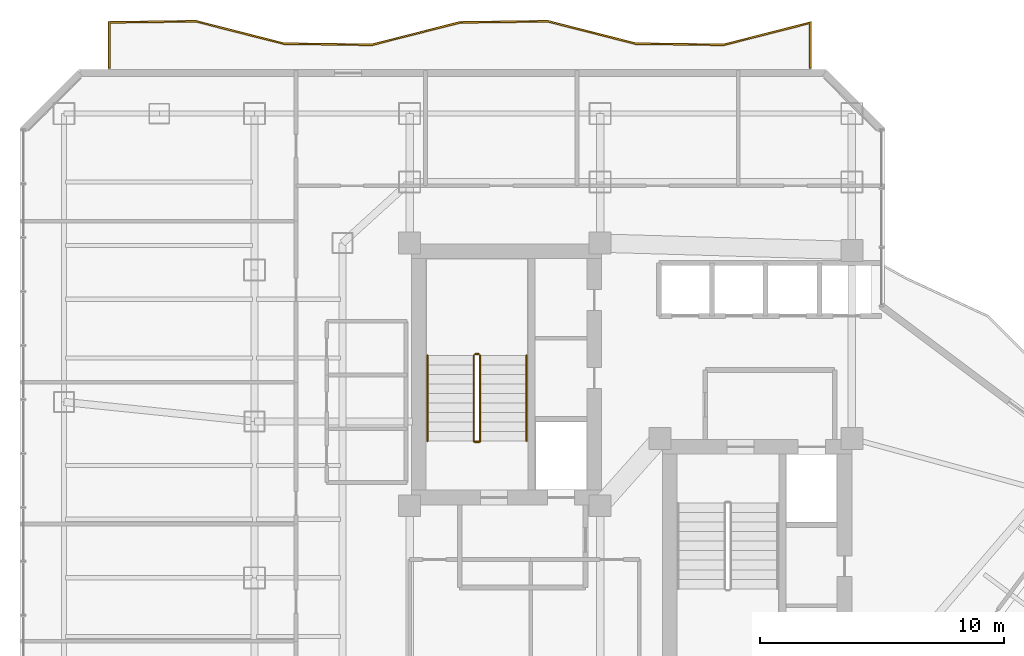
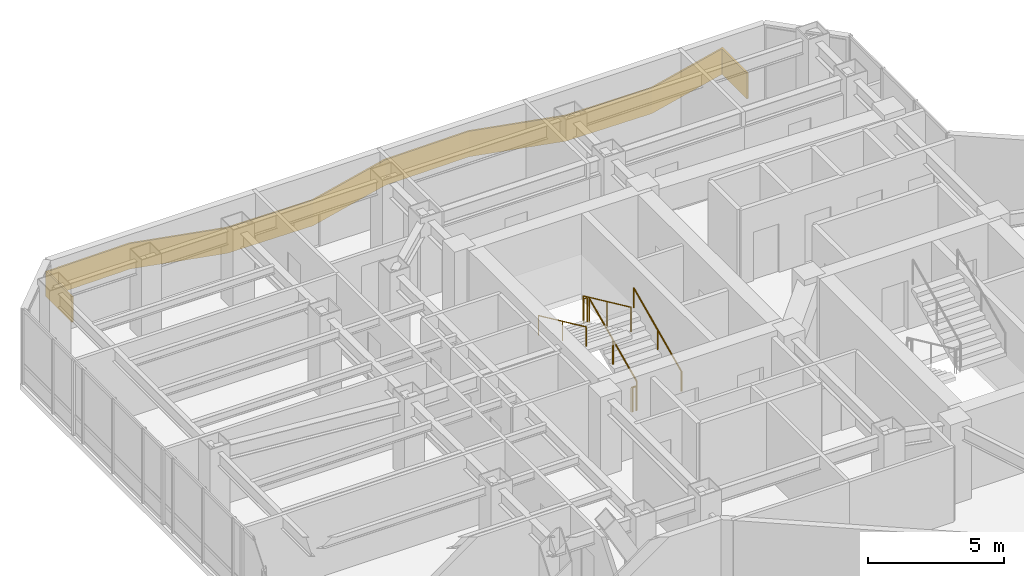
# One storey, part 30 of 31: 8 railings.
"""IFC4 building model written with IfcOpenShell, lengths in metres."""

from ifc_helpers import new_model, si_unit, direction, frame, origin, origin_2d, place, context, subcontext, project, spatial, polyline, circle, outline, extrude, material, layer, layer_set, type_object, element, save


model = new_model("IFC4")

# Units and contexts
model_context = context("Model", 3, precision=1e-05, world=origin(), true_north=direction((0.0, 1.0)))
body_context = subcontext(model_context, "Body", "Model", "MODEL_VIEW")
ifc_project = project(units=[si_unit("LENGTHUNIT", "METRE"), si_unit("AREAUNIT", "SQUARE_METRE"), si_unit("VOLUMEUNIT", "CUBIC_METRE"), si_unit("PLANEANGLEUNIT", "RADIAN"), si_unit("MASSUNIT", "GRAM", prefix="KILO")], contexts=[model_context])

# Site, building, storey
site_placement = place(None, origin())
site = spatial("IfcSite", under=ifc_project, at=site_placement, CompositionType="ELEMENT")
building_placement = place(site_placement, origin())
building = spatial("IfcBuilding", under=site, at=building_placement, Name="Hatsunagi Terrace Concourse", CompositionType="ELEMENT")
storey_placement = place(building_placement, frame((0.0, 0.0, 122.85009765625)))
storey = spatial("IfcBuildingStorey", under=building, at=storey_placement, Name="L32", CompositionType="ELEMENT", Elevation=122.85009765625)

# Railings
ifc_material_1 = material(Name="Laminated Glass and Stainless Steel Guard", Category="steel")
ifc_layer_1 = layer(ifc_material_1, 0.070068359375)
ifc_layer_set_1 = layer_set([ifc_layer_1], Name="BalconyGlassGuardRail_1150")
railing_type_1 = type_object("IfcRailingType", Name="BalconyGlassGuardRail_1150", PredefinedType="BALUSTRADE", material=ifc_layer_set_1)
railing_1_placement = place(storey_placement, origin())
element("IfcRailing", 1, at=railing_1_placement, inside=storey, type_object=railing_type_1, Name="Engawa Balcony Guard GRD-01 L32-BN-1", PredefinedType="BALUSTRADE", context=body_context, shape_type="SweptSolid", body=[
    extrude(outline(polyline([(13.215087890625, 50.449951171875), (13.284912109375, 50.449951171875), (13.284912109375, 52.301513671875), (16.789794921875, 52.347900390625), (20.388427734375, 51.43017578125), (24.01025390625, 51.3818359375), (27.611572265625, 52.300048828125), (31.189697265625, 52.347900390625), (34.788330078125, 51.43017578125), (38.41015625, 51.3818359375), (41.9150390625, 52.27587890625), (41.9150390625, 50.449951171875), (41.985107421875, 50.449951171875), (41.985107421875, 52.365966796875), (38.40185546875, 51.4521484375), (34.797607421875, 51.5), (31.1982421875, 52.418212890625), (27.602294921875, 52.369873046875), (24.001708984375, 51.4521484375), (20.397705078125, 51.5), (16.798095703125, 52.418212890625), (13.215087890625, 52.37060546875), (13.215087890625, 50.449951171875)])), origin(), (0.0, 0.0, 1.0), 1.14990234375),
])
ifc_material_2 = material(Name="Stainless steel", Category="steel")
ifc_layer_2 = layer(ifc_material_2, 0.044921875)
ifc_layer_set_2 = layer_set([ifc_layer_2], Name="StairPitchHandrail_Tower2000")
railing_type_2 = type_object("IfcRailingType", Name="StairPitchHandrail_Tower2000", PredefinedType="HANDRAIL", material=ifc_layer_set_2)
railing_2_placement = place(storey_placement, frame((30.330078125, 35.199951171875, 0.179931640625)))
element("IfcRailing", 2, at=railing_2_placement, inside=storey, type_object=railing_type_2, Name="L32 ST-A stair handrail 1", PredefinedType="HANDRAIL", context=body_context, shape_type="SweptSolid", body=[
    extrude(circle(Radius=0.02392578125, at=origin_2d()), frame((0.0, 0.0, 0.8759765625), z_axis=(0.0, 0.907972323039, 0.419030142823), x_axis=(-1.0, 0.0, 0.0)), (0.0, 0.0, 1.0), 3.86572265625),
    extrude(circle(Radius=0.02099609375, at=origin_2d()), origin(), (0.0, 0.0, 1.0), 0.851806640625),
    extrude(circle(Radius=0.02099609375, at=origin_2d()), frame((0.0, 1.7548828125, 0.81005859375)), (0.0, 0.0, 1.0), 0.851806640625),
    extrude(circle(Radius=0.02099609375, at=origin_2d()), frame((0.0, 3.510009765625, 1.619873046875)), (0.0, 0.0, 1.0), 0.851806640625),
])
railing_3_placement = place(storey_placement, frame((26.280029296875, 38.7099609375, 1.97998046875)))
element("IfcRailing", 3, at=railing_3_placement, inside=storey, type_object=railing_type_2, Name="L32 ST-A stair handrail 2", PredefinedType="HANDRAIL", context=body_context, shape_type="SweptSolid", body=[
    extrude(circle(Radius=0.02392578125, at=origin_2d()), frame((0.0, 0.0, 0.8759765625), z_axis=(0.0, -0.907972323039, 0.419030142823), x_axis=(1.0, 0.0, 0.0)), (0.0, 0.0, 1.0), 3.86572265625),
    extrude(circle(Radius=0.02099609375, at=origin_2d()), origin(), (0.0, 0.0, 1.0), 0.851806640625),
    extrude(circle(Radius=0.02099609375, at=origin_2d()), frame((0.0, -1.7548828125, 0.81005859375)), (0.0, 0.0, 1.0), 0.851806640625),
    extrude(circle(Radius=0.02099609375, at=origin_2d()), frame((0.0, -3.510009765625, 1.619873046875)), (0.0, 0.0, 1.0), 0.851806640625),
])
ifc_material_3 = material(Name="Stainless steel", Category="steel")
ifc_layer_3 = layer(ifc_material_3, 0.06005859375)
ifc_layer_set_3 = layer_set([ifc_layer_3], Name="StairWellGuard_Tower2000")
railing_type_3 = type_object("IfcRailingType", Name="StairWellGuard_Tower2000", PredefinedType="BALUSTRADE", material=ifc_layer_set_3)
railing_4_placement = place(storey_placement, frame((28.429931640625, 35.199951171875, 0.179931640625)))
element("IfcRailing", 4, at=railing_4_placement, inside=storey, type_object=railing_type_3, Name="L32 ST-A stair guard 1", PredefinedType="BALUSTRADE", context=body_context, shape_type="SweptSolid", body=[
    extrude(circle(Radius=0.02392578125, at=origin_2d()), frame((0.0, 0.0, 1.09619140625), z_axis=(0.0, 0.907972323039, 0.419030142823), x_axis=(-1.0, 0.0, 0.0)), (0.0, 0.0, 1.0), 3.86572265625),
    extrude(circle(Radius=0.02099609375, at=origin_2d()), origin(), (0.0, 0.0, 1.0), 1.072021484375),
    extrude(circle(Radius=0.02099609375, at=origin_2d()), frame((0.0, 1.7548828125, 0.81005859375)), (0.0, 0.0, 1.0), 1.072021484375),
    extrude(circle(Radius=0.02099609375, at=origin_2d()), frame((0.0, 3.510009765625, 1.619873046875)), (0.0, 0.0, 1.0), 1.072021484375),
])
railing_5_placement = place(storey_placement, frame((28.3798828125, 38.760009765625, 1.7998046875)))
element("IfcRailing", 5, at=railing_5_placement, inside=storey, type_object=railing_type_3, Name="L32 ST-A stair guard 2", PredefinedType="BALUSTRADE", context=body_context, shape_type="SweptSolid", body=[
    extrude(circle(Radius=0.02392578125, at=origin_2d()), frame((0.0, 0.0, 1.09619140625), z_axis=(-1.0, 0.0, 0.0), x_axis=(0.0, -1.0, 0.0)), (0.0, 0.0, 1.0), 0.14990234375),
    extrude(circle(Radius=0.02099609375, at=origin_2d()), origin(), (0.0, 0.0, 1.0), 1.072021484375),
    extrude(circle(Radius=0.02099609375, at=origin_2d()), frame((-0.14990234375, 0.0, 0.0)), (0.0, 0.0, 1.0), 1.072021484375),
])
railing_6_placement = place(storey_placement, frame((28.179931640625, 38.7099609375, 1.97998046875)))
element("IfcRailing", 6, at=railing_6_placement, inside=storey, type_object=railing_type_3, Name="L32 ST-A stair guard 3", PredefinedType="BALUSTRADE", context=body_context, shape_type="SweptSolid", body=[
    extrude(circle(Radius=0.02392578125, at=origin_2d()), frame((0.0, 0.0, 1.09619140625), z_axis=(0.0, -0.907972323039, 0.419030142823), x_axis=(1.0, 0.0, 0.0)), (0.0, 0.0, 1.0), 3.86572265625),
    extrude(circle(Radius=0.02099609375, at=origin_2d()), origin(), (0.0, 0.0, 1.0), 1.072021484375),
    extrude(circle(Radius=0.02099609375, at=origin_2d()), frame((0.0, -1.7548828125, 0.81005859375)), (0.0, 0.0, 1.0), 1.072021484375),
    extrude(circle(Radius=0.02099609375, at=origin_2d()), frame((0.0, -3.510009765625, 1.619873046875)), (0.0, 0.0, 1.0), 1.072021484375),
])
railing_7_placement = place(storey_placement, frame((28.3798828125, 35.14990234375, 0.0)))
element("IfcRailing", 7, at=railing_7_placement, inside=storey, type_object=railing_type_3, Name="L32 ST-A stair guard 4", PredefinedType="BALUSTRADE", context=body_context, shape_type="SweptSolid", body=[
    extrude(circle(Radius=0.02392578125, at=origin_2d()), frame((0.0, 0.0, 1.09619140625), z_axis=(-1.0, 0.0, 0.0), x_axis=(0.0, -1.0, 0.0)), (0.0, 0.0, 1.0), 0.14990234375),
    extrude(circle(Radius=0.02099609375, at=origin_2d()), origin(), (0.0, 0.0, 1.0), 1.072021484375),
    extrude(circle(Radius=0.02099609375, at=origin_2d()), frame((-0.14990234375, 0.0, 0.0)), (0.0, 0.0, 1.0), 1.072021484375),
])
ifc_material_4 = material(Name="Stainless Steel SUS316 Post-and-Rail Guard", Category="steel")
ifc_layer_4 = layer(ifc_material_4, 0.080078125)
ifc_layer_set_4 = layer_set([ifc_layer_4], Name="TerracePlantedGuardRail_1200")
railing_type_4 = type_object("IfcRailingType", Name="TerracePlantedGuardRail_1200", PredefinedType="GUARDRAIL", material=ifc_layer_set_4)
railing_8_placement = place(storey_placement, frame((28.179931640625, 35.179931640625, 0.0)))
element("IfcRailing", 8, at=railing_8_placement, inside=storey, type_object=railing_type_4, Name="Stair ST-A Well Closure Guard L32", PredefinedType="GUARDRAIL", context=body_context, shape_type="SweptSolid", body=[
    extrude(circle(Radius=0.02392578125, at=origin_2d()), frame((0.0, 0.0, 1.09619140625), z_axis=(1.0, 0.0, 0.0), x_axis=(0.0, 1.0, 0.0)), (0.0, 0.0, 1.0), 0.25),
    extrude(circle(Radius=0.02099609375, at=origin_2d()), origin(), (0.0, 0.0, 1.0), 1.072021484375),
    extrude(circle(Radius=0.02099609375, at=origin_2d()), frame((0.25, 0.0, 0.0)), (0.0, 0.0, 1.0), 1.072021484375),
])

save(model, "model.ifc")
